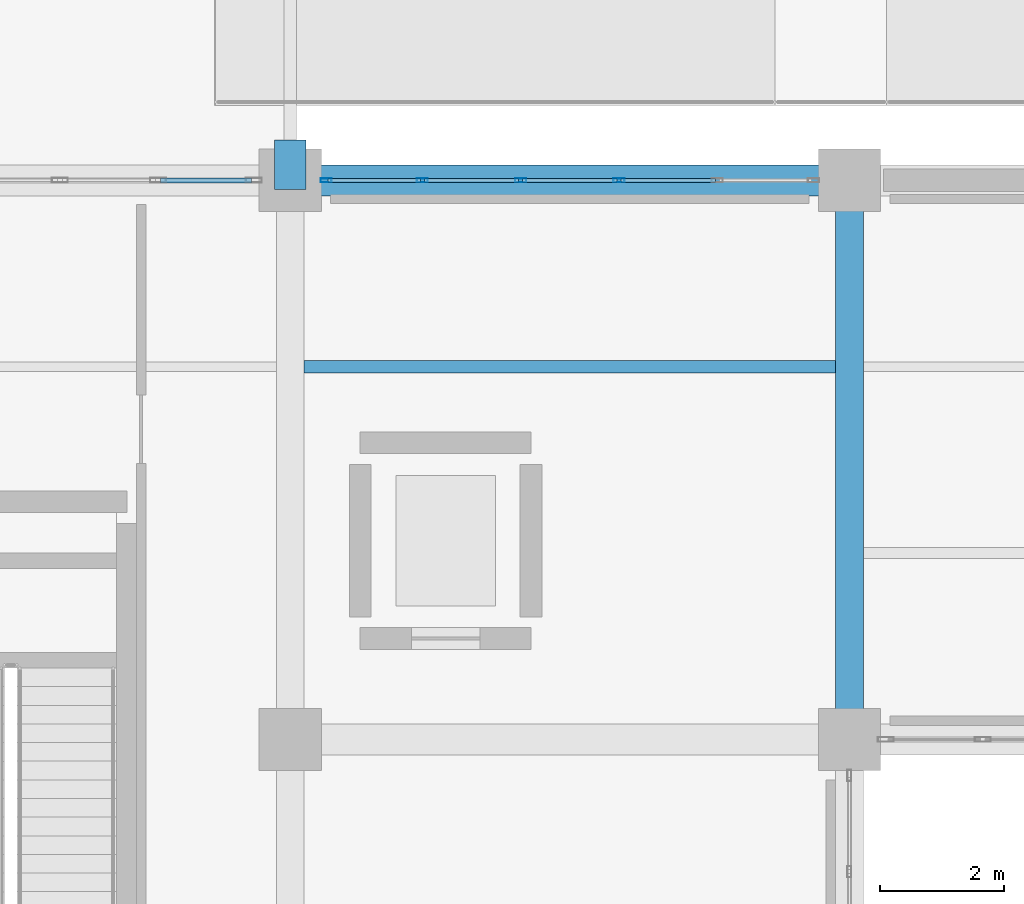
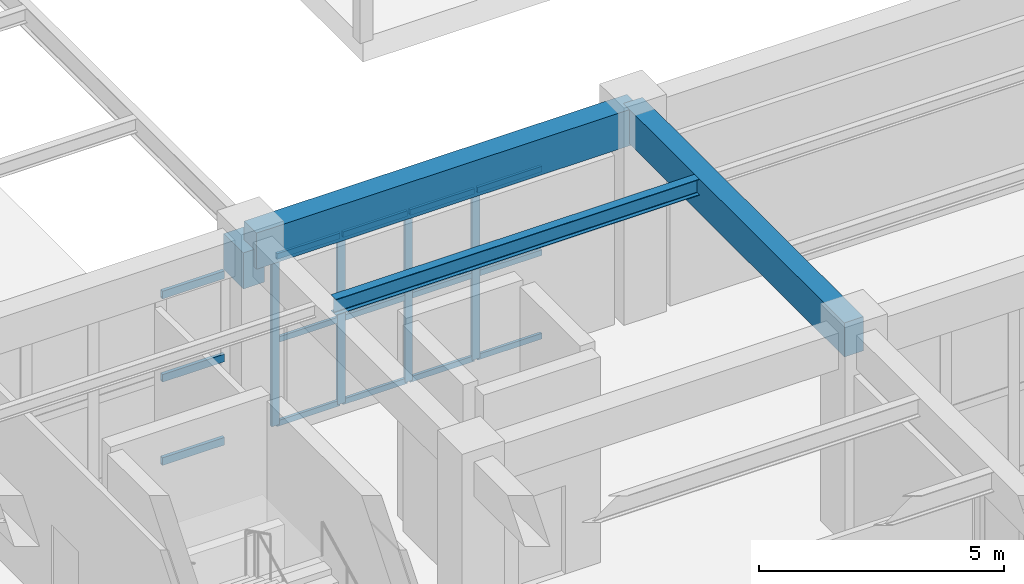
# One storey, part 83 of 140: 19 members, 4 beams, 2 elements without a shape of their own.
"""IFC4 building model written with IfcOpenShell, lengths in metres."""

from ifc_helpers import new_model, si_unit, direction, frame, origin, origin_2d, place, context, subcontext, project, spatial, rectangle, hollow_rectangle, i_section, extrude, material, material_profile, profile_set, type_object, element, aggregate, save


model = new_model("IFC4")

# Units and contexts
model_context = context("Model", 3, precision=1e-05, world=origin(), true_north=direction((0.0, 1.0)))
body_context = subcontext(model_context, "Body", "Model", "MODEL_VIEW")
ifc_project = project(units=[si_unit("LENGTHUNIT", "METRE"), si_unit("AREAUNIT", "SQUARE_METRE"), si_unit("VOLUMEUNIT", "CUBIC_METRE"), si_unit("PLANEANGLEUNIT", "RADIAN"), si_unit("MASSUNIT", "GRAM", prefix="KILO")], contexts=[model_context])

# Site, building, storey
site_placement = place(None, origin())
site = spatial("IfcSite", under=ifc_project, at=site_placement, CompositionType="ELEMENT")
building_placement = place(site_placement, origin())
building = spatial("IfcBuilding", under=site, at=building_placement, Name="Haizhuo Lancet Aquarium", CompositionType="ELEMENT")
storey_placement = place(building_placement, origin())
storey = spatial("IfcBuildingStorey", under=building, at=storey_placement, Name="L00", CompositionType="ELEMENT", Elevation=0.0)

# Beams
ifc_material_1 = material(Name="Concrete C40/50", Category="concrete")
ifc_material_profile_1 = material_profile(ifc_material_1, rectangle(XDim=0.449951171875, YDim=0.85009765625, at=origin_2d()), Name="RC-BM 450x850")
ifc_profile_set_1 = profile_set([ifc_material_profile_1], Name="Concrete C40/50")
beam_type_1 = type_object("IfcBeamType", Name="BM-RC-450x850", PredefinedType="BEAM", material=ifc_profile_set_1)
beam_1_placement = place(storey_placement, frame((72.0, -18.0, 4.695068359375), z_axis=(0.0, 1.0, 0.0), x_axis=(-1.0, 0.0, 0.0)))
element("IfcBeam", 1, at=beam_1_placement, inside=storey, type_object=beam_type_1, Name="L00 V3 primary girder BM-L00-V3-032", PredefinedType="BEAM", context=body_context, shape_type="SweptSolid", body=[
    extrude(rectangle(XDim=0.449951171875, YDim=0.85009765625, at=origin_2d()), origin(), (0.0, 0.0, 1.0), 9.0),
])
ifc_material_profile_2 = material_profile(ifc_material_1, rectangle(XDim=0.5, YDim=0.89990234375, at=origin_2d()), Name="RC-BM 500x900")
ifc_profile_set_2 = profile_set([ifc_material_profile_2], Name="Concrete C40/50")
beam_type_2 = type_object("IfcBeamType", Name="BM-RC-500x900", PredefinedType="BEAM", material=ifc_profile_set_2)
beam_2_placement = place(storey_placement, frame((63.0, -9.0, 4.669921875), z_axis=(1.0, 0.0, 0.0), x_axis=(0.0, 1.0, 0.0)))
element("IfcBeam", 2, at=beam_2_placement, inside=storey, type_object=beam_type_2, Name="L00 V3 primary girder BM-L00-V3-030", PredefinedType="BEAM", context=body_context, shape_type="SweptSolid", body=[
    extrude(rectangle(XDim=0.5, YDim=0.89990234375, at=origin_2d()), origin(), (0.0, 0.0, 1.0), 9.0),
])
beam_3_placement = place(storey_placement, frame((63.0, -9.14990234375, 4.205078125), z_axis=(0.0, 1.0, 0.0), x_axis=(-1.0, 0.0, 0.0)))
element("IfcBeam", 3, at=beam_3_placement, inside=storey, type_object=beam_type_2, Name="Reinforced concrete bridge bearing corbel SB-02 2S", PredefinedType="BEAM", context=body_context, shape_type="SweptSolid", body=[
    extrude(rectangle(XDim=0.5, YDim=0.89990234375, at=origin_2d()), origin(), (0.0, 0.0, 1.0), 0.7998046875),
])

# Curtain wall, members
ifc_material_2 = material(Name="Aluminium 6063-T6", Category="aluminium")
curtain_wall_type = type_object("IfcCurtainWallType", Name="CWO-7910x4220", PredefinedType="NOTDEFINED", material=ifc_material_2)
curtain_wall_1_placement = place(storey_placement, origin())
curtain_wall_1 = element("IfcCurtainWall", 4, at=curtain_wall_1_placement, inside=storey, type_object=curtain_wall_type, Name="L00 curtain wall CW-V3-L00-031", PredefinedType="NOTDEFINED")
ifc_material_profile_3 = material_profile(ifc_material_2, hollow_rectangle(XDim=0.06494140625, YDim=0.179931640625, WallThickness=0.00390625, at=origin_2d()), Name="ALU-M 65x180x4")
ifc_profile_set_3 = profile_set([ifc_material_profile_3], Name="Aluminium 6063-T6")
member_type_1 = type_object("IfcMemberType", Name="CW-MUL-1", PredefinedType="MULLION", material=ifc_profile_set_3)
member_1_placement = place(storey_placement, frame((63.577880859375, -9.0, 0.0), z_axis=(0.0, 0.0, 1.0), x_axis=(0.0, 1.0, 0.0)))
member_1 = element("IfcMember", 5, at=member_1_placement, type_object=member_type_1, Name="CWO-79x42 mullion 1", PredefinedType="MULLION", context=body_context, shape_type="SweptSolid", body=[
    extrude(hollow_rectangle(XDim=0.06494140625, YDim=0.179931640625, WallThickness=0.00390625, at=origin_2d()), origin(), (0.0, 0.0, 1.0), 4.219970703125),
])
member_2_placement = place(storey_placement, frame((65.126953125, -9.0, 0.0), z_axis=(0.0, 0.0, 1.0), x_axis=(0.0, 1.0, 0.0)))
member_2 = element("IfcMember", 6, at=member_2_placement, type_object=member_type_1, Name="CWO-79x42 mullion 2", PredefinedType="MULLION", context=body_context, shape_type="SweptSolid", body=[
    extrude(hollow_rectangle(XDim=0.06494140625, YDim=0.179931640625, WallThickness=0.00390625, at=origin_2d()), origin(), (0.0, 0.0, 1.0), 4.219970703125),
])
member_3_placement = place(storey_placement, frame((66.708984375, -9.0, 0.0), z_axis=(0.0, 0.0, 1.0), x_axis=(0.0, 1.0, 0.0)))
member_3 = element("IfcMember", 7, at=member_3_placement, type_object=member_type_1, Name="CWO-79x42 mullion 3", PredefinedType="MULLION", context=body_context, shape_type="SweptSolid", body=[
    extrude(hollow_rectangle(XDim=0.06494140625, YDim=0.179931640625, WallThickness=0.00390625, at=origin_2d()), origin(), (0.0, 0.0, 1.0), 4.219970703125),
])
member_4_placement = place(storey_placement, frame((68.291015625, -9.0, 0.0), z_axis=(0.0, 0.0, 1.0), x_axis=(0.0, 1.0, 0.0)))
member_4 = element("IfcMember", 8, at=member_4_placement, type_object=member_type_1, Name="CWO-79x42 mullion 4", PredefinedType="MULLION", context=body_context, shape_type="SweptSolid", body=[
    extrude(hollow_rectangle(XDim=0.06494140625, YDim=0.179931640625, WallThickness=0.00390625, at=origin_2d()), origin(), (0.0, 0.0, 1.0), 4.219970703125),
])
ifc_material_profile_4 = material_profile(ifc_material_2, hollow_rectangle(XDim=0.06494140625, YDim=0.139892578125, WallThickness=0.00390625, at=origin_2d()), Name="ALU-T 65x140x4")
ifc_profile_set_4 = profile_set([ifc_material_profile_4], Name="Aluminium 6063-T6")
member_type_2 = type_object("IfcMemberType", Name="CW-TRN-1", PredefinedType="NOTDEFINED", material=ifc_profile_set_4)
member_5_placement = place(storey_placement, frame((63.610107421875, -9.0, 0.032958984375), z_axis=(1.0, 0.0, 0.0), x_axis=(0.0, 1.0, 0.0)))
member_5 = element("IfcMember", 9, at=member_5_placement, type_object=member_type_2, Name="CWO-79x42 transom 1.1", ObjectType="TRANSOM", PredefinedType="USERDEFINED", context=body_context, shape_type="SweptSolid", body=[
    extrude(hollow_rectangle(XDim=0.06494140625, YDim=0.139892578125, WallThickness=0.00390625, at=origin_2d()), origin(), (0.0, 0.0, 1.0), 1.48388671875),
])
member_6_placement = place(storey_placement, frame((63.610107421875, -9.0, 2.110107421875), z_axis=(1.0, 0.0, 0.0), x_axis=(0.0, 1.0, 0.0)))
member_6 = element("IfcMember", 10, at=member_6_placement, type_object=member_type_2, Name="CWO-79x42 transom 1.2", ObjectType="TRANSOM", PredefinedType="USERDEFINED", context=body_context, shape_type="SweptSolid", body=[
    extrude(hollow_rectangle(XDim=0.06494140625, YDim=0.139892578125, WallThickness=0.00390625, at=origin_2d()), origin(), (0.0, 0.0, 1.0), 1.48388671875),
])
member_7_placement = place(storey_placement, frame((63.610107421875, -9.0, 4.18798828125), z_axis=(1.0, 0.0, 0.0), x_axis=(0.0, 1.0, 0.0)))
member_7 = element("IfcMember", 11, at=member_7_placement, type_object=member_type_2, Name="CWO-79x42 transom 1.3", ObjectType="TRANSOM", PredefinedType="USERDEFINED", context=body_context, shape_type="SweptSolid", body=[
    extrude(hollow_rectangle(XDim=0.06494140625, YDim=0.139892578125, WallThickness=0.00390625, at=origin_2d()), origin(), (0.0, 0.0, 1.0), 1.48388671875),
])
member_8_placement = place(storey_placement, frame((65.158935546875, -9.0, 0.032958984375), z_axis=(1.0, 0.0, 0.0), x_axis=(0.0, 1.0, 0.0)))
member_8 = element("IfcMember", 12, at=member_8_placement, type_object=member_type_2, Name="CWO-79x42 transom 2.1", ObjectType="TRANSOM", PredefinedType="USERDEFINED", context=body_context, shape_type="SweptSolid", body=[
    extrude(hollow_rectangle(XDim=0.06494140625, YDim=0.139892578125, WallThickness=0.00390625, at=origin_2d()), origin(), (0.0, 0.0, 1.0), 1.51806640625),
])
member_9_placement = place(storey_placement, frame((65.158935546875, -9.0, 2.110107421875), z_axis=(1.0, 0.0, 0.0), x_axis=(0.0, 1.0, 0.0)))
member_9 = element("IfcMember", 13, at=member_9_placement, type_object=member_type_2, Name="CWO-79x42 transom 2.2", ObjectType="TRANSOM", PredefinedType="USERDEFINED", context=body_context, shape_type="SweptSolid", body=[
    extrude(hollow_rectangle(XDim=0.06494140625, YDim=0.139892578125, WallThickness=0.00390625, at=origin_2d()), origin(), (0.0, 0.0, 1.0), 1.51806640625),
])
member_10_placement = place(storey_placement, frame((65.158935546875, -9.0, 4.18798828125), z_axis=(1.0, 0.0, 0.0), x_axis=(0.0, 1.0, 0.0)))
member_10 = element("IfcMember", 14, at=member_10_placement, type_object=member_type_2, Name="CWO-79x42 transom 2.3", ObjectType="TRANSOM", PredefinedType="USERDEFINED", context=body_context, shape_type="SweptSolid", body=[
    extrude(hollow_rectangle(XDim=0.06494140625, YDim=0.139892578125, WallThickness=0.00390625, at=origin_2d()), origin(), (0.0, 0.0, 1.0), 1.51806640625),
])
member_11_placement = place(storey_placement, frame((66.741943359375, -9.0, 0.032958984375), z_axis=(1.0, 0.0, 0.0), x_axis=(0.0, 1.0, 0.0)))
member_11 = element("IfcMember", 15, at=member_11_placement, type_object=member_type_2, Name="CWO-79x42 transom 3.1", ObjectType="TRANSOM", PredefinedType="USERDEFINED", context=body_context, shape_type="SweptSolid", body=[
    extrude(hollow_rectangle(XDim=0.06494140625, YDim=0.139892578125, WallThickness=0.00390625, at=origin_2d()), origin(), (0.0, 0.0, 1.0), 1.51611328125),
])
member_12_placement = place(storey_placement, frame((66.741943359375, -9.0, 2.110107421875), z_axis=(1.0, 0.0, 0.0), x_axis=(0.0, 1.0, 0.0)))
member_12 = element("IfcMember", 16, at=member_12_placement, type_object=member_type_2, Name="CWO-79x42 transom 3.2", ObjectType="TRANSOM", PredefinedType="USERDEFINED", context=body_context, shape_type="SweptSolid", body=[
    extrude(hollow_rectangle(XDim=0.06494140625, YDim=0.139892578125, WallThickness=0.00390625, at=origin_2d()), origin(), (0.0, 0.0, 1.0), 1.51611328125),
])
member_13_placement = place(storey_placement, frame((66.741943359375, -9.0, 4.18798828125), z_axis=(1.0, 0.0, 0.0), x_axis=(0.0, 1.0, 0.0)))
member_13 = element("IfcMember", 17, at=member_13_placement, type_object=member_type_2, Name="CWO-79x42 transom 3.3", ObjectType="TRANSOM", PredefinedType="USERDEFINED", context=body_context, shape_type="SweptSolid", body=[
    extrude(hollow_rectangle(XDim=0.06494140625, YDim=0.139892578125, WallThickness=0.00390625, at=origin_2d()), origin(), (0.0, 0.0, 1.0), 1.51611328125),
])
member_14_placement = place(storey_placement, frame((68.322998046875, -9.0, 0.032958984375), z_axis=(1.0, 0.0, 0.0), x_axis=(0.0, 1.0, 0.0)))
member_14 = element("IfcMember", 18, at=member_14_placement, type_object=member_type_2, Name="CWO-79x42 transom 4.1", ObjectType="TRANSOM", PredefinedType="USERDEFINED", context=body_context, shape_type="SweptSolid", body=[
    extrude(hollow_rectangle(XDim=0.06494140625, YDim=0.139892578125, WallThickness=0.00390625, at=origin_2d()), origin(), (0.0, 0.0, 1.0), 1.51806640625),
])
member_15_placement = place(storey_placement, frame((68.322998046875, -9.0, 2.110107421875), z_axis=(1.0, 0.0, 0.0), x_axis=(0.0, 1.0, 0.0)))
member_15 = element("IfcMember", 19, at=member_15_placement, type_object=member_type_2, Name="CWO-79x42 transom 4.2", ObjectType="TRANSOM", PredefinedType="USERDEFINED", context=body_context, shape_type="SweptSolid", body=[
    extrude(hollow_rectangle(XDim=0.06494140625, YDim=0.139892578125, WallThickness=0.00390625, at=origin_2d()), origin(), (0.0, 0.0, 1.0), 1.51806640625),
])
member_16_placement = place(storey_placement, frame((68.322998046875, -9.0, 4.18798828125), z_axis=(1.0, 0.0, 0.0), x_axis=(0.0, 1.0, 0.0)))
member_16 = element("IfcMember", 20, at=member_16_placement, type_object=member_type_2, Name="CWO-79x42 transom 4.3", ObjectType="TRANSOM", PredefinedType="USERDEFINED", context=body_context, shape_type="SweptSolid", body=[
    extrude(hollow_rectangle(XDim=0.06494140625, YDim=0.139892578125, WallThickness=0.00390625, at=origin_2d()), origin(), (0.0, 0.0, 1.0), 1.51806640625),
])
aggregate(curtain_wall_1, [member_1, member_2, member_3, member_4, member_5, member_6, member_7, member_8, member_9, member_10, member_11, member_12, member_13, member_14, member_15, member_16])

curtain_wall_2_placement = place(storey_placement, origin())
curtain_wall_2 = element("IfcCurtainWall", 21, at=curtain_wall_2_placement, inside=storey, type_object=curtain_wall_type, Name="L00 curtain wall CW-V3-L00-030", PredefinedType="NOTDEFINED")
ifc_material_profile_5 = material_profile(ifc_material_2, hollow_rectangle(XDim=0.080078125, YDim=0.18994140625, WallThickness=0.0048828125, at=origin_2d()), Name="ALU-T 80x190x5")
ifc_profile_set_5 = profile_set([ifc_material_profile_5], Name="Aluminium 6063-T6")
member_type_3 = type_object("IfcMemberType", Name="CW-TRN-3", PredefinedType="NOTDEFINED", material=ifc_profile_set_5)
member_17_placement = place(storey_placement, frame((60.9130859375, -9.0, 0.0400390625), z_axis=(1.0, 0.0, 0.0), x_axis=(0.0, 1.0, 0.0)))
member_17 = element("IfcMember", 22, at=member_17_placement, type_object=member_type_3, Name="CWO-79x42 transom 5.1", ObjectType="TRANSOM", PredefinedType="USERDEFINED", context=body_context, shape_type="SweptSolid", body=[
    extrude(hollow_rectangle(XDim=0.080078125, YDim=0.18994140625, WallThickness=0.0048828125, at=origin_2d()), origin(), (0.0, 0.0, 1.0), 1.4619140625),
])
member_18_placement = place(storey_placement, frame((60.9130859375, -9.0, 2.110107421875), z_axis=(1.0, 0.0, 0.0), x_axis=(0.0, 1.0, 0.0)))
member_18 = element("IfcMember", 23, at=member_18_placement, type_object=member_type_3, Name="CWO-79x42 transom 5.2", ObjectType="TRANSOM", PredefinedType="USERDEFINED", context=body_context, shape_type="SweptSolid", body=[
    extrude(hollow_rectangle(XDim=0.080078125, YDim=0.18994140625, WallThickness=0.0048828125, at=origin_2d()), origin(), (0.0, 0.0, 1.0), 1.4619140625),
])
member_19_placement = place(storey_placement, frame((60.9130859375, -9.0, 4.179931640625), z_axis=(1.0, 0.0, 0.0), x_axis=(0.0, 1.0, 0.0)))
member_19 = element("IfcMember", 24, at=member_19_placement, type_object=member_type_3, Name="CWO-79x42 transom 5.3", ObjectType="TRANSOM", PredefinedType="USERDEFINED", context=body_context, shape_type="SweptSolid", body=[
    extrude(hollow_rectangle(XDim=0.080078125, YDim=0.18994140625, WallThickness=0.0048828125, at=origin_2d()), origin(), (0.0, 0.0, 1.0), 1.4619140625),
])
aggregate(curtain_wall_2, [member_17, member_18, member_19])

# Beam
ifc_material_3 = material(Name="Steel S355", Category="steel")
ifc_material_profile_6 = material_profile(ifc_material_3, i_section(OverallWidth=0.199951171875, OverallDepth=0.39990234375, WebThickness=0.008056640625, FlangeThickness=0.012939453125, FilletRadius=0.01611328125, at=origin_2d()), Name="HN 400x200x8x13")
ifc_profile_set_6 = profile_set([ifc_material_profile_6], Name="Steel S355")
beam_type_3 = type_object("IfcBeamType", Name="JST-ST-HN400", PredefinedType="JOIST", material=ifc_profile_set_6)
beam_4_placement = place(storey_placement, frame((63.22509765625, -12.0, 4.919921875), z_axis=(1.0, 0.0, 0.0), x_axis=(0.0, 1.0, 0.0)))
element("IfcBeam", 25, at=beam_4_placement, inside=storey, type_object=beam_type_3, Name="L00 V3 secondary floor joist 21", PredefinedType="JOIST", context=body_context, shape_type="SweptSolid", body=[
    extrude(i_section(OverallWidth=0.199951171875, OverallDepth=0.39990234375, WebThickness=0.008056640625, FlangeThickness=0.012939453125, FilletRadius=0.01611328125, at=origin_2d()), origin(), (0.0, 0.0, 1.0), 8.5498046875),
])

save(model, "model.ifc")
